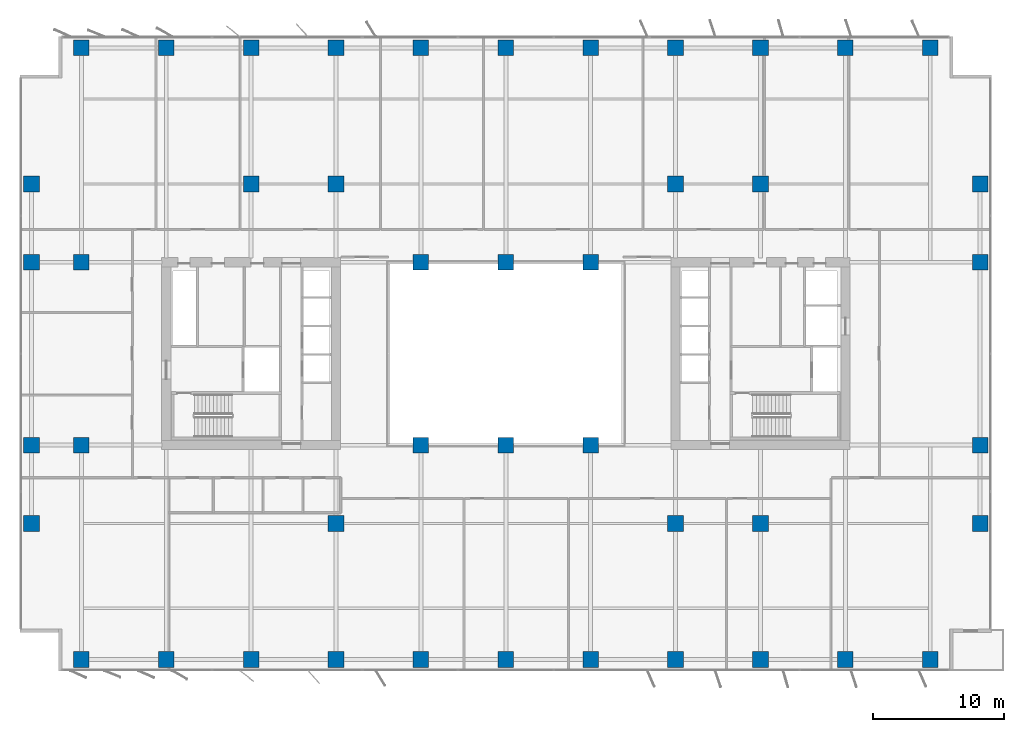
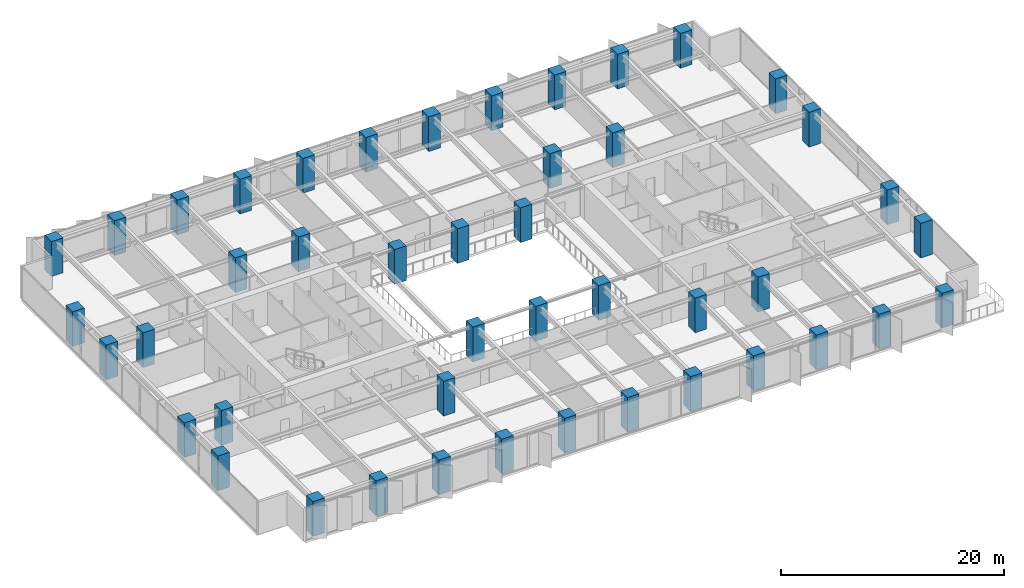
# One storey, part 1 of 20: 45 columns.
"""IFC4 building model written with IfcOpenShell, lengths in metres."""

from ifc_helpers import new_model, si_unit, direction, frame, origin, origin_2d, place, context, subcontext, project, spatial, rectangle, extrude, material, material_profile, profile_set, type_object, element, save


model = new_model("IFC4")

# Units and contexts
model_context = context("Model", 3, precision=1e-05, world=origin(), true_north=direction((0.0, 1.0)))
body_context = subcontext(model_context, "Body", "Model", "MODEL_VIEW")
ifc_project = project(units=[si_unit("LENGTHUNIT", "METRE"), si_unit("AREAUNIT", "SQUARE_METRE"), si_unit("VOLUMEUNIT", "CUBIC_METRE"), si_unit("PLANEANGLEUNIT", "RADIAN"), si_unit("MASSUNIT", "GRAM", prefix="KILO")], contexts=[model_context])

# Site, building, storey
site_placement = place(None, origin())
site = spatial("IfcSite", under=ifc_project, at=site_placement, CompositionType="ELEMENT")
building_placement = place(site_placement, origin())
building = spatial("IfcBuilding", under=site, at=building_placement, Name="Putna Gate Headquarters", CompositionType="ELEMENT")
storey_placement = place(building_placement, frame((0.0, 0.0, 120.199951171875)))
storey = spatial("IfcBuildingStorey", under=building, at=storey_placement, Name="L29", CompositionType="ELEMENT", Elevation=120.199951171875)

# Columns
ifc_material = material(Name="Concrete C60/75", Category="concrete")
ifc_material_profile_1 = material_profile(ifc_material, rectangle(XDim=1.199951171875, YDim=1.199951171875, at=origin_2d()), Name="Concrete C60/75")
ifc_profile_set_1 = profile_set([ifc_material_profile_1], Name="Concrete C60/75")
column_type_1 = type_object("IfcColumnType", Name="COL-RC1200-EXT", PredefinedType="COLUMN", material=ifc_profile_set_1)
for number, where, z_axis, x_axis, name in (
    (1, (6.5, 2.580078125, 0.0), (0.0, 0.0, 1.0), (1.0, 0.0, 0.0), "L29 Column CP-S6"),
    (2, (6.5, 49.419921875, 0.0), (0.0, 0.0, 1.0), (1.0, 0.0, 0.0), "L29 Column CP-N6"),
    (3, (13.0, 2.580078125, 0.0), (0.0, 0.0, 1.0), (1.0, 0.0, 0.0), "L29 Column CP-S13"),
    (4, (13.0, 49.419921875, 0.0), (0.0, 0.0, 1.0), (1.0, 0.0, 0.0), "L29 Column CP-N13"),
    (5, (19.5, 2.580078125, 0.0), (0.0, 0.0, 1.0), (1.0, 0.0, 0.0), "L29 Column CP-S19"),
    (6, (19.5, 49.419921875, 0.0), (0.0, 0.0, 1.0), (1.0, 0.0, 0.0), "L29 Column CP-N19"),
    (7, (26.0, 2.580078125, 0.0), (0.0, 0.0, 1.0), (1.0, 0.0, 0.0), "L29 Column CP-S26"),
    (8, (26.0, 49.419921875, 0.0), (0.0, 0.0, 1.0), (1.0, 0.0, 0.0), "L29 Column CP-N26"),
    (9, (32.5, 2.580078125, 0.0), (0.0, 0.0, 1.0), (1.0, 0.0, 0.0), "L29 Column CP-S32"),
    (10, (32.5, 49.419921875, 0.0), (0.0, 0.0, 1.0), (1.0, 0.0, 0.0), "L29 Column CP-N32"),
    (11, (39.0, 2.580078125, 0.0), (0.0, 0.0, 1.0), (1.0, 0.0, 0.0), "L29 Column CP-S39"),
    (12, (39.0, 49.419921875, 0.0), (0.0, 0.0, 1.0), (1.0, 0.0, 0.0), "L29 Column CP-N39"),
    (13, (45.5, 2.580078125, 0.0), (0.0, 0.0, 1.0), (1.0, 0.0, 0.0), "L29 Column CP-S45"),
    (14, (45.5, 49.419921875, 0.0), (0.0, 0.0, 1.0), (1.0, 0.0, 0.0), "L29 Column CP-N45"),
    (15, (52.0, 2.580078125, 0.0), (0.0, 0.0, 1.0), (1.0, 0.0, 0.0), "L29 Column CP-S52"),
    (16, (52.0, 49.419921875, 0.0), (0.0, 0.0, 1.0), (1.0, 0.0, 0.0), "L29 Column CP-N52"),
    (17, (58.5, 2.580078125, 0.0), (0.0, 0.0, 1.0), (1.0, 0.0, 0.0), "L29 Column CP-S58"),
    (18, (58.5, 49.419921875, 0.0), (0.0, 0.0, 1.0), (1.0, 0.0, 0.0), "L29 Column CP-N58"),
    (19, (65.0, 2.580078125, 0.0), (0.0, 0.0, 1.0), (1.0, 0.0, 0.0), "L29 Column CP-S65"),
    (20, (65.0, 49.419921875, 0.0), (0.0, 0.0, 1.0), (1.0, 0.0, 0.0), "L29 Column CP-N65"),
    (21, (71.5, 2.580078125, 0.0), (0.0, 0.0, 1.0), (1.0, 0.0, 0.0), "L29 Column CP-S71"),
    (22, (71.5, 49.419921875, 0.0), (0.0, 0.0, 1.0), (1.0, 0.0, 0.0), "L29 Column CP-N71"),
    (23, (2.679931640625, 13.0, 0.0), (0.0, 0.0, 1.0), (1.0, 0.0, 0.0), "L29 Column CP-W13"),
    (24, (75.320068359375, 13.0, 0.0), (0.0, 0.0, 1.0), (1.0, 0.0, 0.0), "L29 Column CP-E13"),
    (25, (2.679931640625, 19.0, 0.0), (0.0, 0.0, 1.0), (1.0, 0.0, 0.0), "L29 Column CP-W19"),
    (26, (75.320068359375, 19.0, 0.0), (0.0, 0.0, 1.0), (1.0, 0.0, 0.0), "L29 Column CP-E19"),
    (27, (2.679931640625, 33.0, 0.0), (0.0, 0.0, 1.0), (1.0, 0.0, 0.0), "L29 Column CP-W33"),
    (28, (75.320068359375, 33.0, 0.0), (0.0, 0.0, 1.0), (1.0, 0.0, 0.0), "L29 Column CP-E33"),
    (29, (2.679931640625, 39.0, 0.0), (0.0, 0.0, 1.0), (1.0, 0.0, 0.0), "L29 Column CP-W39"),
    (30, (75.320068359375, 39.0, 0.0), (0.0, 0.0, 1.0), (1.0, 0.0, 0.0), "L29 Column CP-E39"),
):
    element("IfcColumn", number, at=place(storey_placement, frame(where, z_axis=z_axis, x_axis=x_axis)), inside=storey, type_object=column_type_1, Name=name, PredefinedType="COLUMN", context=body_context, shape_type="SweptSolid", body=[
        extrude(rectangle(XDim=1.199951171875, YDim=1.199951171875, at=origin_2d()), origin(), (0.0, 0.0, 1.0), 3.800048828125),
    ])
ifc_material_profile_2 = material_profile(ifc_material, rectangle(XDim=1.199951171875, YDim=1.199951171875, at=origin_2d()), Name="Concrete C60/75")
ifc_profile_set_2 = profile_set([ifc_material_profile_2], Name="Concrete C60/75")
column_type_2 = type_object("IfcColumnType", Name="COL-RC1200-INT", PredefinedType="COLUMN", material=ifc_profile_set_2)
for number, where, z_axis, x_axis, name in (
    (31, (19.5, 39.0, 0.0), (0.0, 0.0, 1.0), (1.0, 0.0, 0.0), "L29 Column CSI-WN"),
    (32, (58.5, 13.0, 0.0), (0.0, 0.0, 1.0), (1.0, 0.0, 0.0), "L29 Column CSI-ES"),
    (33, (58.5, 39.0, 0.0), (0.0, 0.0, 1.0), (1.0, 0.0, 0.0), "L29 Column CSI-EN"),
    (34, (6.5, 19.0, 0.0), (0.0, 0.0, 1.0), (1.0, 0.0, 0.0), "L29 Column CSI-WM"),
    (35, (6.5, 33.0, 0.0), (0.0, 0.0, 1.0), (1.0, 0.0, 0.0), "L29 Column CSI-WNW"),
    (36, (32.5, 19.0, 0.0), (0.0, 0.0, 1.0), (1.0, 0.0, 0.0), "L29 Column CAI-S32"),
    (37, (32.5, 33.0, 0.0), (0.0, 0.0, 1.0), (1.0, 0.0, 0.0), "L29 Column CAI-N32"),
    (38, (39.0, 19.0, 0.0), (0.0, 0.0, 1.0), (1.0, 0.0, 0.0), "L29 Column CAI-S39"),
    (39, (39.0, 33.0, 0.0), (0.0, 0.0, 1.0), (1.0, 0.0, 0.0), "L29 Column CAI-N39"),
    (40, (45.5, 19.0, 0.0), (0.0, 0.0, 1.0), (1.0, 0.0, 0.0), "L29 Column CAI-S45"),
    (41, (45.5, 33.0, 0.0), (0.0, 0.0, 1.0), (1.0, 0.0, 0.0), "L29 Column CAI-N45"),
    (42, (26.0, 13.0, 0.0), (0.0, 0.0, 1.0), (1.0, 0.0, 0.0), "L29 Column CAP-WS"),
    (43, (26.0, 39.0, 0.0), (0.0, 0.0, 1.0), (1.0, 0.0, 0.0), "L29 Column CAP-WN"),
    (44, (52.0, 13.0, 0.0), (0.0, 0.0, 1.0), (1.0, 0.0, 0.0), "L29 Column CAP-ES"),
    (45, (52.0, 39.0, 0.0), (0.0, 0.0, 1.0), (1.0, 0.0, 0.0), "L29 Column CAP-EN"),
):
    element("IfcColumn", number, at=place(storey_placement, frame(where, z_axis=z_axis, x_axis=x_axis)), inside=storey, type_object=column_type_2, Name=name, PredefinedType="COLUMN", context=body_context, shape_type="SweptSolid", body=[
        extrude(rectangle(XDim=1.199951171875, YDim=1.199951171875, at=origin_2d()), origin(), (0.0, 0.0, 1.0), 3.800048828125),
    ])

save(model, "model.ifc")
